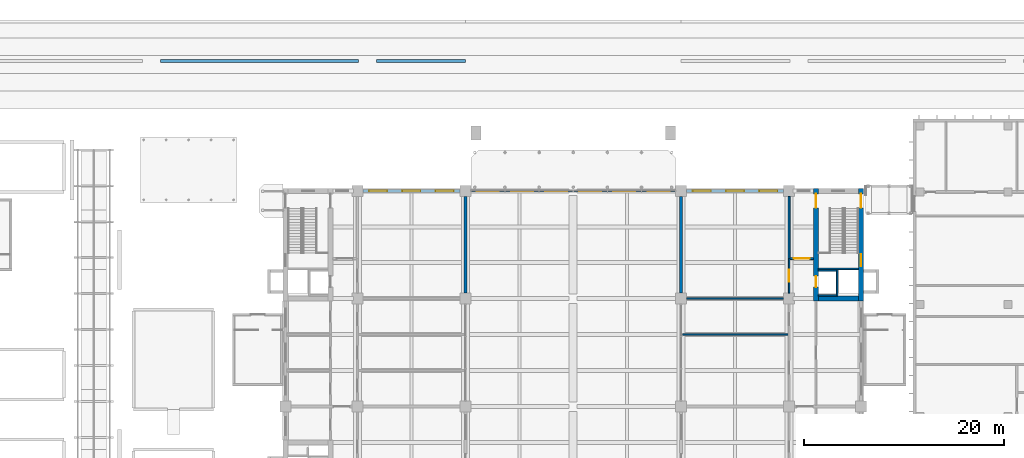
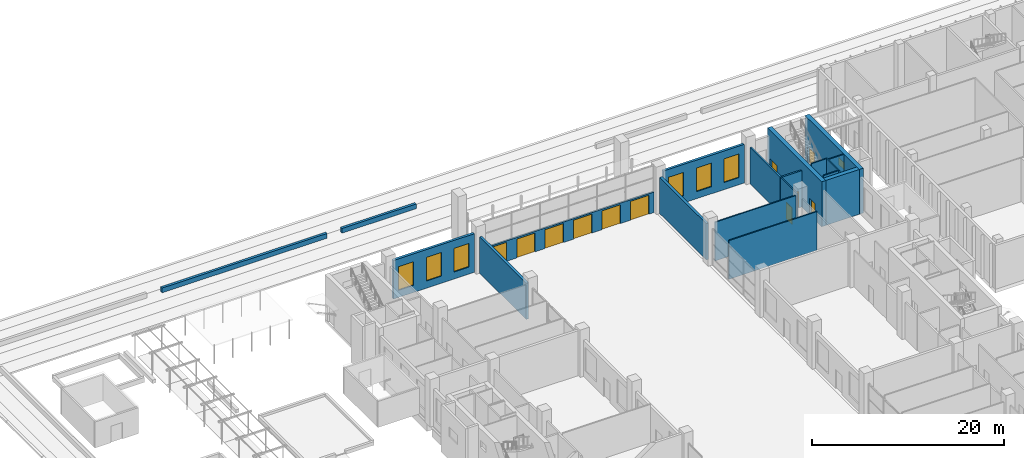
# One storey, part 56 of 71: 19 walls, 11 doors, 7 windows, 18 openings.
"""IFC4 building model written with IfcOpenShell, lengths in metres."""

from ifc_helpers import new_model, si_unit, direction, frame, frame_2d, origin, place, context, subcontext, project, spatial, rectangle, extrude, material, layer, layer_set, type_object, element, fill, save


model = new_model("IFC4")

# Units and contexts
model_context = context("Model", 3, precision=1e-05, world=origin(), true_north=direction((0.0, 1.0)))
body_context = subcontext(model_context, "Body", "Model", "MODEL_VIEW")
ifc_project = project(units=[si_unit("LENGTHUNIT", "METRE"), si_unit("AREAUNIT", "SQUARE_METRE"), si_unit("VOLUMEUNIT", "CUBIC_METRE"), si_unit("PLANEANGLEUNIT", "RADIAN"), si_unit("MASSUNIT", "GRAM", prefix="KILO")], contexts=[model_context])

# Site, building, storey
site_placement = place(None, origin())
site = spatial("IfcSite", under=ifc_project, at=site_placement, CompositionType="ELEMENT")
building_placement = place(site_placement, origin())
building = spatial("IfcBuilding", under=site, at=building_placement, Name="Basin Gate Institute", CompositionType="ELEMENT")
storey_placement = place(building_placement, origin())
storey = spatial("IfcBuildingStorey", under=building, at=storey_placement, Name="L00", CompositionType="ELEMENT", Elevation=0.0)

# Walls
ifc_material_1 = material(Name="Fire-resisting board wall assembly")
ifc_layer_1 = layer(ifc_material_1, 0.300048828125)
ifc_layer_set_1 = layer_set([ifc_layer_1], Name="Atrium enclosure wall EW4")
wall_type_1 = type_object("IfcWallType", Name="Atrium enclosure wall EW4", PredefinedType="STANDARD", material=ifc_layer_set_1)
for number, where, z_axis, x_axis, name in (
    (1, (79.199951171875, 89.64990234375, 0.0), (0.0, 0.0, 1.0), (0.0, 1.0, 0.0), "Atrium enclosure wall W wing bay 6 L00"),
    (2, (100.800048828125, 89.64990234375, 0.0), (0.0, 0.0, 1.0), (0.0, 1.0, 0.0), "Atrium enclosure wall E wing bay 6 L00"),
):
    element("IfcWall", number, at=place(storey_placement, frame(where, z_axis=z_axis, x_axis=x_axis)), inside=storey, type_object=wall_type_1, material=ifc_layer_set_1, Name=name, PredefinedType="STANDARD", context=body_context, shape_type="SweptSolid", body=[
        extrude(rectangle(XDim=9.7001953125, YDim=0.300048828125, at=frame_2d((4.85009765625, 0.0))), origin(), (0.0, 0.0, 1.0), 4.60009765625),
    ])

# Wall, openings, doors
ifc_material_2 = material(Name="Concrete 40 MPa", Category="concrete")
ifc_layer_2 = layer(ifc_material_2, 0.199951171875)
ifc_layer_set_2 = layer_set([ifc_layer_2], Name="Concrete 40 MPa")
wall_type_2 = type_object("IfcWallType", Name="Atrium screen base wall W83 REI 180", PredefinedType="SOLIDWALL", material=ifc_layer_set_2)
wall_1_placement = place(storey_placement, frame((79.75, 99.89990234375, 0.0), z_axis=(0.0, 0.0, 1.0), x_axis=(1.0, 0.0, 0.0)))
wall_1 = element("IfcWall", 3, at=wall_1_placement, inside=storey, type_object=wall_type_2, material=ifc_layer_set_2, Name="Atrium screen base wall R180 N", PredefinedType="SOLIDWALL", context=body_context, shape_type="SweptSolid", body=[
    extrude(rectangle(XDim=20.5, YDim=0.199951171875, at=frame_2d((10.25, 0.0))), origin(), (0.0, 0.0, 1.0), 2.60009765625),
])
opening_1_placement = place(wall_1_placement, frame((0.6083984375, 0.0, 0.0)))
opening_1 = element("IfcOpeningElement", 4, at=opening_1_placement, cuts=wall_1, Name="Opening D811", PredefinedType="OPENING", context=body_context, shape_type="SweptSolid", body=[
    extrude(rectangle(XDim=2.199951171875, YDim=2.39990234375, at=frame_2d((1.10009765625, 1.199951171875))), frame((0.0, 0.10986328125, 0.0), z_axis=(0.0, -1.0, 0.0), x_axis=(1.0, 0.0, 0.0)), (0.0, 0.0, 1.0), 0.219970703125),
])
opening_2_placement = place(wall_1_placement, frame((4.02490234375, 0.0, 0.0)))
opening_2 = element("IfcOpeningElement", 5, at=opening_2_placement, cuts=wall_1, Name="Opening D812", PredefinedType="OPENING", context=body_context, shape_type="SweptSolid", body=[
    extrude(rectangle(XDim=2.199951171875, YDim=2.39990234375, at=frame_2d((1.10009765625, 1.199951171875))), frame((0.0, 0.10986328125, 0.0), z_axis=(0.0, -1.0, 0.0), x_axis=(1.0, 0.0, 0.0)), (0.0, 0.0, 1.0), 0.219970703125),
])
opening_3_placement = place(wall_1_placement, frame((7.441650390625, 0.0, 0.0)))
opening_3 = element("IfcOpeningElement", 6, at=opening_3_placement, cuts=wall_1, Name="Opening D813", PredefinedType="OPENING", context=body_context, shape_type="SweptSolid", body=[
    extrude(rectangle(XDim=2.199951171875, YDim=2.39990234375, at=frame_2d((1.10009765625, 1.199951171875))), frame((0.0, 0.10986328125, 0.0), z_axis=(0.0, -1.0, 0.0), x_axis=(1.0, 0.0, 0.0)), (0.0, 0.0, 1.0), 0.219970703125),
])
opening_4_placement = place(wall_1_placement, frame((10.8583984375, 0.0, 0.0)))
opening_4 = element("IfcOpeningElement", 7, at=opening_4_placement, cuts=wall_1, Name="Opening D814", PredefinedType="OPENING", context=body_context, shape_type="SweptSolid", body=[
    extrude(rectangle(XDim=2.199951171875, YDim=2.39990234375, at=frame_2d((1.10009765625, 1.199951171875))), frame((0.0, 0.10986328125, 0.0), z_axis=(0.0, -1.0, 0.0), x_axis=(1.0, 0.0, 0.0)), (0.0, 0.0, 1.0), 0.219970703125),
])
opening_5_placement = place(wall_1_placement, frame((14.27490234375, 0.0, 0.0)))
opening_5 = element("IfcOpeningElement", 8, at=opening_5_placement, cuts=wall_1, Name="Opening D815", PredefinedType="OPENING", context=body_context, shape_type="SweptSolid", body=[
    extrude(rectangle(XDim=2.199951171875, YDim=2.39990234375, at=frame_2d((1.10009765625, 1.199951171875))), frame((0.0, 0.10986328125, 0.0), z_axis=(0.0, -1.0, 0.0), x_axis=(1.0, 0.0, 0.0)), (0.0, 0.0, 1.0), 0.219970703125),
])
opening_6_placement = place(wall_1_placement, frame((17.691650390625, 0.0, 0.0)))
opening_6 = element("IfcOpeningElement", 9, at=opening_6_placement, cuts=wall_1, Name="Opening D816", PredefinedType="OPENING", context=body_context, shape_type="SweptSolid", body=[
    extrude(rectangle(XDim=2.199951171875, YDim=2.39990234375, at=frame_2d((1.10009765625, 1.199951171875))), frame((0.0, 0.10986328125, 0.0), z_axis=(0.0, -1.0, 0.0), x_axis=(1.0, 0.0, 0.0)), (0.0, 0.0, 1.0), 0.219970703125),
])
ifc_material_3 = material(Name="Aluminium frame with toughened glass", Category="aluminium")
door_type_1 = type_object("IfcDoorType", Name="Automatic sliding door 2200", OperationType="SLIDING_TO_LEFT", PredefinedType="DOOR", material=ifc_material_3)
door_1_placement = place(opening_1_placement, origin())
door_1 = element("IfcDoor", 10, at=door_1_placement, inside=storey, type_object=door_type_1, material=ifc_material_3, Name="Final exit Atrium North 1", OperationType="SLIDING_TO_LEFT", OverallHeight=2.39990234375, OverallWidth=2.199951171875, PredefinedType="DOOR", context=body_context, shape_type="SweptSolid", body=[
    extrude(rectangle(XDim=2.199951171875, YDim=2.39990234375, at=frame_2d((1.10009765625, 1.199951171875))), frame((0.0, 0.02490234375, 0.0), z_axis=(0.0, -1.0, 0.0), x_axis=(1.0, 0.0, 0.0)), (0.0, 0.0, 1.0), 0.050048828125),
])
fill(opening_1, door_1)
door_2_placement = place(opening_2_placement, origin())
door_2 = element("IfcDoor", 11, at=door_2_placement, inside=storey, type_object=door_type_1, material=ifc_material_3, Name="Final exit Atrium North 2", OperationType="SLIDING_TO_LEFT", OverallHeight=2.39990234375, OverallWidth=2.199951171875, PredefinedType="DOOR", context=body_context, shape_type="SweptSolid", body=[
    extrude(rectangle(XDim=2.199951171875, YDim=2.39990234375, at=frame_2d((1.10009765625, 1.199951171875))), frame((0.0, 0.02490234375, 0.0), z_axis=(0.0, -1.0, 0.0), x_axis=(1.0, 0.0, 0.0)), (0.0, 0.0, 1.0), 0.050048828125),
])
fill(opening_2, door_2)
door_3_placement = place(opening_3_placement, origin())
door_3 = element("IfcDoor", 12, at=door_3_placement, inside=storey, type_object=door_type_1, material=ifc_material_3, Name="Final exit Atrium North 3", OperationType="SLIDING_TO_LEFT", OverallHeight=2.39990234375, OverallWidth=2.199951171875, PredefinedType="DOOR", context=body_context, shape_type="SweptSolid", body=[
    extrude(rectangle(XDim=2.199951171875, YDim=2.39990234375, at=frame_2d((1.10009765625, 1.199951171875))), frame((0.0, 0.02490234375, 0.0), z_axis=(0.0, -1.0, 0.0), x_axis=(1.0, 0.0, 0.0)), (0.0, 0.0, 1.0), 0.050048828125),
])
fill(opening_3, door_3)
door_4_placement = place(opening_4_placement, origin())
door_4 = element("IfcDoor", 13, at=door_4_placement, inside=storey, type_object=door_type_1, material=ifc_material_3, Name="Final exit Atrium North 4", OperationType="SLIDING_TO_LEFT", OverallHeight=2.39990234375, OverallWidth=2.199951171875, PredefinedType="DOOR", context=body_context, shape_type="SweptSolid", body=[
    extrude(rectangle(XDim=2.199951171875, YDim=2.39990234375, at=frame_2d((1.10009765625, 1.199951171875))), frame((0.0, 0.02490234375, 0.0), z_axis=(0.0, -1.0, 0.0), x_axis=(1.0, 0.0, 0.0)), (0.0, 0.0, 1.0), 0.050048828125),
])
fill(opening_4, door_4)
door_5_placement = place(opening_5_placement, origin())
door_5 = element("IfcDoor", 14, at=door_5_placement, inside=storey, type_object=door_type_1, material=ifc_material_3, Name="Final exit Atrium North 5", OperationType="SLIDING_TO_LEFT", OverallHeight=2.39990234375, OverallWidth=2.199951171875, PredefinedType="DOOR", context=body_context, shape_type="SweptSolid", body=[
    extrude(rectangle(XDim=2.199951171875, YDim=2.39990234375, at=frame_2d((1.10009765625, 1.199951171875))), frame((0.0, 0.02490234375, 0.0), z_axis=(0.0, -1.0, 0.0), x_axis=(1.0, 0.0, 0.0)), (0.0, 0.0, 1.0), 0.050048828125),
])
fill(opening_5, door_5)
door_6_placement = place(opening_6_placement, origin())
door_6 = element("IfcDoor", 15, at=door_6_placement, inside=storey, type_object=door_type_1, material=ifc_material_3, Name="Final exit Atrium North 6", OperationType="SLIDING_TO_LEFT", OverallHeight=2.39990234375, OverallWidth=2.199951171875, PredefinedType="DOOR", context=body_context, shape_type="SweptSolid", body=[
    extrude(rectangle(XDim=2.199951171875, YDim=2.39990234375, at=frame_2d((1.10009765625, 1.199951171875))), frame((0.0, 0.02490234375, 0.0), z_axis=(0.0, -1.0, 0.0), x_axis=(1.0, 0.0, 0.0)), (0.0, 0.0, 1.0), 0.050048828125),
])
fill(opening_6, door_6)

# Walls
ifc_material_4 = material(Name="Concrete 35 MPa", Category="concrete")
ifc_layer_3 = layer(ifc_material_4, 0.300048828125)
ifc_layer_set_3 = layer_set([ifc_layer_3], Name="Concrete 35 MPa")
wall_type_3 = type_object("IfcWallType", Name="Edge planter wall PL2", PredefinedType="SOLIDWALL", material=ifc_layer_set_3)
wall_2_placement = place(storey_placement, frame((48.68994140625, 112.909912109375, 0.0), z_axis=(0.0, 0.0, 1.0), x_axis=(1.0, 0.0, 0.0)))
element("IfcWall", 16, at=wall_2_placement, inside=storey, type_object=wall_type_3, material=ifc_layer_set_3, Name="Edge planter wall N8", PredefinedType="SOLIDWALL", context=body_context, shape_type="SweptSolid", body=[
    extrude(rectangle(XDim=19.800048828125, YDim=0.300048828125, at=frame_2d((9.89990234375, 0.0))), origin(), (0.0, 0.0, 1.0), 0.60009765625),
])
wall_3_placement = place(storey_placement, frame((70.2900390625, 112.909912109375, 0.0), z_axis=(0.0, 0.0, 1.0), x_axis=(1.0, 0.0, 0.0)))
element("IfcWall", 17, at=wall_3_placement, inside=storey, type_object=wall_type_3, material=ifc_layer_set_3, Name="Edge planter wall N9", PredefinedType="SOLIDWALL", context=body_context, shape_type="SweptSolid", body=[
    extrude(rectangle(XDim=8.909912109375, YDim=0.300048828125, at=frame_2d((4.455078125, 0.0))), origin(), (0.0, 0.0, 1.0), 0.60009765625),
])

# Wall, opening, door
ifc_material_5 = material(Name="Fire-rated masonry", Category="masonry")
ifc_layer_4 = layer(ifc_material_5, 0.199951171875)
ifc_layer_set_4 = layer_set([ifc_layer_4], Name="Enclosure wall PW2 200 EI 60")
wall_type_4 = type_object("IfcWallType", Name="Enclosure wall PW2 200 EI 60", PredefinedType="PARTITIONING", material=ifc_layer_set_4)
wall_4_placement = place(storey_placement, frame((114.050048828125, 93.10009765625, 0.0), z_axis=(0.0, 0.0, 1.0), x_axis=(-1.0, 0.0, 0.0)))
wall_4 = element("IfcWall", 18, at=wall_4_placement, inside=storey, type_object=wall_type_4, material=ifc_layer_set_4, Name="Smoke lobby enclosure wall PW2 L00", PredefinedType="PARTITIONING", context=body_context, shape_type="SweptSolid", body=[
    extrude(rectangle(XDim=2.35009765625, YDim=0.199951171875, at=frame_2d((1.175048828125, 0.0))), origin(), (0.0, 0.0, 1.0), 4.60009765625),
])
opening_7_placement = place(wall_4_placement, frame((0.375, 0.0, 0.0)))
opening_7 = element("IfcOpeningElement", 19, at=opening_7_placement, cuts=wall_4, Name="Opening DR019", PredefinedType="OPENING", context=body_context, shape_type="SweptSolid", body=[
    extrude(rectangle(XDim=1.60009765625, YDim=2.10009765625, at=frame_2d((0.800048828125, 1.050048828125))), frame((0.0, 0.10986328125, 0.0), z_axis=(0.0, -1.0, 0.0), x_axis=(1.0, 0.0, 0.0)), (0.0, 0.0, 1.0), 0.219970703125),
])
ifc_material_6 = material(Name="Steel fire door", Category="steel")
door_type_2 = type_object("IfcDoorType", Name="FD60 Smoke lobby door pair D8", OperationType="DOUBLE_DOOR_SINGLE_SWING", PredefinedType="DOOR", material=ifc_material_6)
door_7_placement = place(opening_7_placement, frame((1.60009765625, 0.0, 0.0), z_axis=(0.0, 0.0, 1.0), x_axis=(-1.0, 0.0, 0.0)))
door_7 = element("IfcDoor", 20, at=door_7_placement, inside=storey, type_object=door_type_2, material=ifc_material_6, Name="Smoke lobby door SS6 L00", OperationType="DOUBLE_DOOR_SINGLE_SWING", OverallHeight=2.10009765625, OverallWidth=1.60009765625, PredefinedType="DOOR", context=body_context, shape_type="SweptSolid", body=[
    extrude(rectangle(XDim=1.60009765625, YDim=2.10009765625, at=frame_2d((0.800048828125, 1.050048828125))), frame((0.0, 0.02490234375, 0.0), z_axis=(0.0, -1.0, 0.0), x_axis=(1.0, 0.0, 0.0)), (0.0, 0.0, 1.0), 0.050048828125),
])
fill(opening_7, door_7)

# Wall
wall_5_placement = place(storey_placement, frame((111.60009765625, 93.10009765625, 0.0), z_axis=(0.0, 0.0, 1.0), x_axis=(0.0, 1.0, 0.0)))
element("IfcWall", 21, at=wall_5_placement, inside=storey, type_object=wall_type_4, material=ifc_layer_set_4, Name="Smoke lobby enclosure wall PW2 L00", PredefinedType="PARTITIONING", context=body_context, shape_type="SweptSolid", body=[
    extrude(rectangle(XDim=6.25, YDim=0.199951171875, at=frame_2d((3.125, 0.0))), origin(), (0.0, 0.0, 1.0), 4.60009765625),
])

# Wall, openings, windows
ifc_material_7 = material(Name="Aluminium-faced insulated panel wall", Category="aluminium")
ifc_layer_5 = layer(ifc_material_7, 0.300048828125)
ifc_layer_set_5 = layer_set([ifc_layer_5], Name="External wall EW1 EI 120")
wall_type_5 = type_object("IfcWallType", Name="External wall EW1 EI 120", PredefinedType="STANDARD", material=ifc_layer_set_5)
wall_6_placement = place(storey_placement, frame((68.949951171875, 99.89990234375, 0.0), z_axis=(0.0, 0.0, 1.0), x_axis=(1.0, 0.0, 0.0)))
wall_6 = element("IfcWall", 22, at=wall_6_placement, inside=storey, type_object=wall_type_5, material=ifc_layer_set_5, Name="External end wall W wing north L00 2", PredefinedType="STANDARD", context=body_context, shape_type="SweptSolid", body=[
    extrude(rectangle(XDim=9.699951171875, YDim=0.300048828125, at=frame_2d((4.85009765625, 0.0))), origin(), (0.0, 0.0, 1.0), 4.89990234375),
])
opening_8_placement = place(wall_6_placement, frame((0.625, 0.0, 0.89990234375)))
opening_8 = element("IfcOpeningElement", 23, at=opening_8_placement, cuts=wall_6, Name="Opening WN2", PredefinedType="OPENING", context=body_context, shape_type="SweptSolid", body=[
    extrude(rectangle(XDim=1.800048828125, YDim=3.0, at=frame_2d((0.89990234375, 1.5))), frame((0.0, 0.16015625, 0.0), z_axis=(0.0, -1.0, 0.0), x_axis=(1.0, 0.0, 0.0)), (0.0, 0.0, 1.0), 0.320068359375),
])
opening_9_placement = place(wall_6_placement, frame((3.949951171875, 0.0, 0.89990234375)))
opening_9 = element("IfcOpeningElement", 24, at=opening_9_placement, cuts=wall_6, Name="Opening WN2", PredefinedType="OPENING", context=body_context, shape_type="SweptSolid", body=[
    extrude(rectangle(XDim=1.800048828125, YDim=3.0, at=frame_2d((0.89990234375, 1.5))), frame((0.0, 0.16015625, 0.0), z_axis=(0.0, -1.0, 0.0), x_axis=(1.0, 0.0, 0.0)), (0.0, 0.0, 1.0), 0.320068359375),
])
opening_10_placement = place(wall_6_placement, frame((7.27490234375, 0.0, 0.89990234375)))
opening_10 = element("IfcOpeningElement", 25, at=opening_10_placement, cuts=wall_6, Name="Opening WN2", PredefinedType="OPENING", context=body_context, shape_type="SweptSolid", body=[
    extrude(rectangle(XDim=1.800048828125, YDim=3.0, at=frame_2d((0.89990234375, 1.5))), frame((0.0, 0.16015625, 0.0), z_axis=(0.0, -1.0, 0.0), x_axis=(1.0, 0.0, 0.0)), (0.0, 0.0, 1.0), 0.320068359375),
])
ifc_material_8 = material(Name="Aluminium-framed double glazing", Category="aluminium")
window_type_1 = type_object("IfcWindowType", Name="Podium window WN2", PartitioningType="SINGLE_PANEL", PredefinedType="WINDOW", material=ifc_material_8)
window_1_placement = place(opening_8_placement, origin())
window_1 = element("IfcWindow", 26, at=window_1_placement, inside=storey, type_object=window_type_1, material=ifc_material_8, Name="Podium window W wing end N L00 bay 1", OverallHeight=3.0, OverallWidth=1.800048828125, PartitioningType="SINGLE_PANEL", PredefinedType="WINDOW", context=body_context, shape_type="SweptSolid", body=[
    extrude(rectangle(XDim=1.800048828125, YDim=3.0, at=frame_2d((0.89990234375, 1.5))), frame((0.0, 0.030029296875, 0.0), z_axis=(0.0, -1.0, 0.0), x_axis=(1.0, 0.0, 0.0)), (0.0, 0.0, 1.0), 0.06005859375),
])
fill(opening_8, window_1)
window_2_placement = place(opening_9_placement, origin())
window_2 = element("IfcWindow", 27, at=window_2_placement, inside=storey, type_object=window_type_1, material=ifc_material_8, Name="Podium window W wing end N L00 bay 2", OverallHeight=3.0, OverallWidth=1.800048828125, PartitioningType="SINGLE_PANEL", PredefinedType="WINDOW", context=body_context, shape_type="SweptSolid", body=[
    extrude(rectangle(XDim=1.800048828125, YDim=3.0, at=frame_2d((0.89990234375, 1.5))), frame((0.0, 0.030029296875, 0.0), z_axis=(0.0, -1.0, 0.0), x_axis=(1.0, 0.0, 0.0)), (0.0, 0.0, 1.0), 0.06005859375),
])
fill(opening_9, window_2)
window_3_placement = place(opening_10_placement, origin())
window_3 = element("IfcWindow", 28, at=window_3_placement, inside=storey, type_object=window_type_1, material=ifc_material_8, Name="Podium window W wing end N L00 bay 3", OverallHeight=3.0, OverallWidth=1.800048828125, PartitioningType="SINGLE_PANEL", PredefinedType="WINDOW", context=body_context, shape_type="SweptSolid", body=[
    extrude(rectangle(XDim=1.800048828125, YDim=3.0, at=frame_2d((0.89990234375, 1.5))), frame((0.0, 0.030029296875, 0.0), z_axis=(0.0, -1.0, 0.0), x_axis=(1.0, 0.0, 0.0)), (0.0, 0.0, 1.0), 0.06005859375),
])
fill(opening_10, window_3)

wall_7_placement = place(storey_placement, frame((111.050048828125, 99.89990234375, 0.0), z_axis=(0.0, 0.0, 1.0), x_axis=(-1.0, 0.0, 0.0)))
wall_7 = element("IfcWall", 29, at=wall_7_placement, inside=storey, type_object=wall_type_5, material=ifc_layer_set_5, Name="External end wall E wing north L00 2", PredefinedType="STANDARD", context=body_context, shape_type="SweptSolid", body=[
    extrude(rectangle(XDim=9.699951171875, YDim=0.300048828125, at=frame_2d((4.85009765625, 0.0))), origin(), (0.0, 0.0, 1.0), 4.89990234375),
])
opening_11_placement = place(wall_7_placement, frame((0.625, 0.0, 0.89990234375)))
opening_11 = element("IfcOpeningElement", 30, at=opening_11_placement, cuts=wall_7, Name="Opening WN2", PredefinedType="OPENING", context=body_context, shape_type="SweptSolid", body=[
    extrude(rectangle(XDim=1.800048828125, YDim=3.0, at=frame_2d((0.89990234375, 1.5))), frame((0.0, 0.16015625, 0.0), z_axis=(0.0, -1.0, 0.0), x_axis=(1.0, 0.0, 0.0)), (0.0, 0.0, 1.0), 0.320068359375),
])
opening_12_placement = place(wall_7_placement, frame((3.949951171875, 0.0, 0.89990234375)))
opening_12 = element("IfcOpeningElement", 31, at=opening_12_placement, cuts=wall_7, Name="Opening WN2", PredefinedType="OPENING", context=body_context, shape_type="SweptSolid", body=[
    extrude(rectangle(XDim=1.800048828125, YDim=3.0, at=frame_2d((0.89990234375, 1.5))), frame((0.0, 0.16015625, 0.0), z_axis=(0.0, -1.0, 0.0), x_axis=(1.0, 0.0, 0.0)), (0.0, 0.0, 1.0), 0.320068359375),
])
opening_13_placement = place(wall_7_placement, frame((7.27490234375, 0.0, 0.89990234375)))
opening_13 = element("IfcOpeningElement", 32, at=opening_13_placement, cuts=wall_7, Name="Opening WN2", PredefinedType="OPENING", context=body_context, shape_type="SweptSolid", body=[
    extrude(rectangle(XDim=1.800048828125, YDim=3.0, at=frame_2d((0.89990234375, 1.5))), frame((0.0, 0.16015625, 0.0), z_axis=(0.0, -1.0, 0.0), x_axis=(1.0, 0.0, 0.0)), (0.0, 0.0, 1.0), 0.320068359375),
])
window_4_placement = place(opening_11_placement, origin())
window_4 = element("IfcWindow", 33, at=window_4_placement, inside=storey, type_object=window_type_1, material=ifc_material_8, Name="Podium window E wing end N L00 bay 1", OverallHeight=3.0, OverallWidth=1.800048828125, PartitioningType="SINGLE_PANEL", PredefinedType="WINDOW", context=body_context, shape_type="SweptSolid", body=[
    extrude(rectangle(XDim=1.800048828125, YDim=3.0, at=frame_2d((0.89990234375, 1.5))), frame((0.0, 0.030029296875, 0.0), z_axis=(0.0, -1.0, 0.0), x_axis=(1.0, 0.0, 0.0)), (0.0, 0.0, 1.0), 0.06005859375),
])
fill(opening_11, window_4)
window_5_placement = place(opening_12_placement, origin())
window_5 = element("IfcWindow", 34, at=window_5_placement, inside=storey, type_object=window_type_1, material=ifc_material_8, Name="Podium window E wing end N L00 bay 2", OverallHeight=3.0, OverallWidth=1.800048828125, PartitioningType="SINGLE_PANEL", PredefinedType="WINDOW", context=body_context, shape_type="SweptSolid", body=[
    extrude(rectangle(XDim=1.800048828125, YDim=3.0, at=frame_2d((0.89990234375, 1.5))), frame((0.0, 0.030029296875, 0.0), z_axis=(0.0, -1.0, 0.0), x_axis=(1.0, 0.0, 0.0)), (0.0, 0.0, 1.0), 0.06005859375),
])
fill(opening_12, window_5)
window_6_placement = place(opening_13_placement, origin())
window_6 = element("IfcWindow", 35, at=window_6_placement, inside=storey, type_object=window_type_1, material=ifc_material_8, Name="Podium window E wing end N L00 bay 3", OverallHeight=3.0, OverallWidth=1.800048828125, PartitioningType="SINGLE_PANEL", PredefinedType="WINDOW", context=body_context, shape_type="SweptSolid", body=[
    extrude(rectangle(XDim=1.800048828125, YDim=3.0, at=frame_2d((0.89990234375, 1.5))), frame((0.0, 0.030029296875, 0.0), z_axis=(0.0, -1.0, 0.0), x_axis=(1.0, 0.0, 0.0)), (0.0, 0.0, 1.0), 0.06005859375),
])
fill(opening_13, window_6)

# Wall, opening, door
ifc_material_9 = material(Name="Gypsum board on steel stud", Category="steel")
ifc_layer_6 = layer(ifc_material_9, 0.14990234375)
ifc_layer_set_6 = layer_set([ifc_layer_6], Name="Gypsum board on steel stud")
wall_type_6 = type_object("IfcWallType", Name="Partition PW1 150 EI 60", PredefinedType="PARTITIONING", material=ifc_layer_set_6)
wall_8_placement = place(storey_placement, frame((111.60009765625, 89.64990234375, 0.0), z_axis=(0.0, 0.0, 1.0), x_axis=(0.0, 1.0, 0.0)))
wall_8 = element("IfcWall", 36, at=wall_8_placement, inside=storey, type_object=wall_type_6, material=ifc_layer_set_6, Name="Laboratory corridor wall PW1 L00", PredefinedType="PARTITIONING", context=body_context, shape_type="SweptSolid", body=[
    extrude(rectangle(XDim=3.4501953125, YDim=0.14990234375, at=frame_2d((1.72509765625, 0.0))), origin(), (0.0, 0.0, 1.0), 4.60009765625),
])
opening_14_placement = place(wall_8_placement, frame((1.125, 0.0, 0.0)))
opening_14 = element("IfcOpeningElement", 37, at=opening_14_placement, cuts=wall_8, Name="Opening DR008", PredefinedType="OPENING", context=body_context, shape_type="SweptSolid", body=[
    extrude(rectangle(XDim=1.199951171875, YDim=2.10009765625, at=frame_2d((0.60009765625, 1.050048828125))), frame((0.0, 0.0849609375, 0.0), z_axis=(0.0, -1.0, 0.0), x_axis=(1.0, 0.0, 0.0)), (0.0, 0.0, 1.0), 0.169921875),
])
ifc_material_10 = material(Name="Timber fire door", Category="wood")
door_type_3 = type_object("IfcDoorType", Name="FD30 Laboratory door D2", OperationType="DOUBLE_DOOR_SINGLE_SWING", PredefinedType="DOOR", material=ifc_material_10)
door_8_placement = place(opening_14_placement, origin())
door_8 = element("IfcDoor", 38, at=door_8_placement, inside=storey, type_object=door_type_3, material=ifc_material_10, Name="Door to Instrument Room 0072 L00", OperationType="DOUBLE_DOOR_SINGLE_SWING", OverallHeight=2.10009765625, OverallWidth=1.199951171875, PredefinedType="DOOR", context=body_context, shape_type="SweptSolid", body=[
    extrude(rectangle(XDim=1.199951171875, YDim=2.10009765625, at=frame_2d((0.60009765625, 1.050048828125))), frame((0.0, 0.02490234375, 0.0), z_axis=(0.0, -1.0, 0.0), x_axis=(1.0, 0.0, 0.0)), (0.0, 0.0, 1.0), 0.050048828125),
])
fill(opening_14, door_8)

# Walls
wall_9_placement = place(storey_placement, frame((111.52490234375, 85.5, 0.0), z_axis=(0.0, 0.0, 1.0), x_axis=(-1.0, 0.0, 0.0)))
element("IfcWall", 39, at=wall_9_placement, inside=storey, type_object=wall_type_6, material=ifc_layer_set_6, Name="Laboratory partition PW1 L00", PredefinedType="PARTITIONING", context=body_context, shape_type="SweptSolid", body=[
    extrude(rectangle(XDim=10.574951171875, YDim=0.14990234375, at=frame_2d((5.28759765625, 0.0))), origin(), (0.0, 0.0, 1.0), 4.89990234375),
])
wall_10_placement = place(storey_placement, frame((111.050048828125, 89.10009765625, 0.0), z_axis=(0.0, 0.0, 1.0), x_axis=(-1.0, 0.0, 0.0)))
element("IfcWall", 40, at=wall_10_placement, inside=storey, type_object=wall_type_6, material=ifc_layer_set_6, Name="Laboratory partition PW1 L00", PredefinedType="PARTITIONING", context=body_context, shape_type="SweptSolid", body=[
    extrude(rectangle(XDim=9.699951171875, YDim=0.14990234375, at=frame_2d((4.85009765625, 0.0))), origin(), (0.0, 0.0, 1.0), 4.89990234375),
])
ifc_material_11 = material(Name="Concrete 40 MPa", Category="concrete")
ifc_layer_7 = layer(ifc_material_11, 0.14990234375)
ifc_layer_set_7 = layer_set([ifc_layer_7], Name="Concrete 40 MPa")
wall_type_7 = type_object("IfcWallType", Name="Wall LS1 lift shaft enclosure R180", PredefinedType="SOLIDWALL", material=ifc_layer_set_7)
wall_11_placement = place(storey_placement, frame((116.425048828125, 92.0, 0.0), z_axis=(0.0, 0.0, 1.0), x_axis=(0.0, -1.0, 0.0)))
element("IfcWall", 41, at=wall_11_placement, inside=storey, type_object=wall_type_7, material=ifc_layer_set_7, Name="Lift shaft enclosure LP6 L00 UL", PredefinedType="SOLIDWALL", context=body_context, shape_type="SweptSolid", body=[
    extrude(rectangle(XDim=2.64990234375, YDim=0.14990234375, at=frame_2d((1.324951171875, 0.0))), origin(), (0.0, 0.0, 1.0), 6.0),
])
for number, where, z_axis, x_axis, name in (
    (42, (116.35009765625, 91.925048828125, 0.0), (0.0, 0.0, 1.0), (-1.0, 0.0, 0.0), "Lift shaft enclosure LP6 L00 RL"),
    (43, (116.35009765625, 89.425048828125, 0.0), (0.0, 0.0, 1.0), (-1.0, 0.0, 0.0), "Lift shaft enclosure LP6 L00 RH"),
):
    element("IfcWall", number, at=place(storey_placement, frame(where, z_axis=z_axis, x_axis=x_axis)), inside=storey, type_object=wall_type_7, material=ifc_layer_set_7, Name=name, PredefinedType="SOLIDWALL", context=body_context, shape_type="SweptSolid", body=[
        extrude(rectangle(XDim=1.800048828125, YDim=0.14990234375, at=frame_2d((0.89990234375, 0.0))), origin(), (0.0, 0.0, 1.0), 6.0),
    ])
ifc_material_12 = material(Name="Concrete 40 MPa", Category="concrete")
ifc_layer_8 = layer(ifc_material_12, 0.14990234375)
ifc_layer_set_8 = layer_set([ifc_layer_8], Name="Concrete 40 MPa")
wall_type_8 = type_object("IfcWallType", Name="Wall SE1 stair enclosure R180", PredefinedType="SOLIDWALL", material=ifc_layer_set_8)
wall_12_placement = place(storey_placement, frame((118.550048828125, 92.074951171875, 0.0), z_axis=(0.0, 0.0, 1.0), x_axis=(-1.0, 0.0, 0.0)))
element("IfcWall", 44, at=wall_12_placement, inside=storey, type_object=wall_type_8, material=ifc_layer_set_8, Name="Stair enclosure wall ST-EN L00", PredefinedType="SOLIDWALL", context=body_context, shape_type="SweptSolid", body=[
    extrude(rectangle(XDim=4.0, YDim=0.14990234375, at=frame_2d((2.0, 0.0))), origin(), (0.0, 0.0, 1.0), 5.699951171875),
])

# Wall, openings, door, window
ifc_material_13 = material(Name="Concrete 60 MPa", Category="concrete")
ifc_layer_9 = layer(ifc_material_13, 0.5)
ifc_layer_set_9 = layer_set([ifc_layer_9], Name="Concrete 60 MPa")
wall_type_9 = type_object("IfcWallType", Name="Wall SW1 R180", PredefinedType="SHEAR", material=ifc_layer_set_9)
wall_13_placement = place(storey_placement, frame((118.800048828125, 88.85009765625, 0.0), z_axis=(0.0, 0.0, 1.0), x_axis=(0.0, 1.0, 0.0)))
wall_13 = element("IfcWall", 45, at=wall_13_placement, inside=storey, type_object=wall_type_9, material=ifc_layer_set_9, Name="WALL/L00/EN/L", PredefinedType="SHEAR", context=body_context, shape_type="SweptSolid", body=[
    extrude(rectangle(XDim=11.2998046875, YDim=0.5, at=frame_2d((5.64990234375, 0.0))), origin(), (0.0, 0.0, 1.0), 5.699951171875),
])
opening_15_placement = place(wall_13_placement, frame((9.35009765625, 0.0, 0.0)))
opening_15 = element("IfcOpeningElement", 46, at=opening_15_placement, cuts=wall_13, Name="Opening DX06", PredefinedType="OPENING", context=body_context, shape_type="SweptSolid", body=[
    extrude(rectangle(XDim=1.39990234375, YDim=2.10009765625, at=frame_2d((0.699951171875, 1.050048828125))), frame((0.0, 0.260009765625, 0.0), z_axis=(0.0, -1.0, 0.0), x_axis=(1.0, 0.0, 0.0)), (0.0, 0.0, 1.0), 0.52001953125),
])
opening_16_placement = place(wall_13_placement, frame((3.52001953125, 0.0, 3.39990234375)))
opening_16 = element("IfcOpeningElement", 47, at=opening_16_placement, cuts=wall_13, Name="Opening WT1", PredefinedType="OPENING", context=body_context, shape_type="SweptSolid", body=[
    extrude(rectangle(XDim=1.199951171875, YDim=0.89990234375, at=frame_2d((0.60009765625, 0.449951171875))), frame((0.0, 0.260009765625, 0.0), z_axis=(0.0, -1.0, 0.0), x_axis=(1.0, 0.0, 0.0)), (0.0, 0.0, 1.0), 0.52001953125),
])
ifc_material_14 = material(Name="Steel fire door", Category="steel")
door_type_4 = type_object("IfcDoorType", Name="FD60 Final exit door DX", OperationType="DOUBLE_DOOR_SINGLE_SWING", PredefinedType="DOOR", material=ifc_material_14)
door_9_placement = place(opening_15_placement, frame((1.39990234375, 0.0, 0.0), z_axis=(0.0, 0.0, 1.0), x_axis=(-1.0, 0.0, 0.0)))
door_9 = element("IfcDoor", 48, at=door_9_placement, inside=storey, type_object=door_type_4, material=ifc_material_14, Name="Final exit ST-EN to the plaza", OperationType="DOUBLE_DOOR_SINGLE_SWING", OverallHeight=2.10009765625, OverallWidth=1.39990234375, PredefinedType="DOOR", context=body_context, shape_type="SweptSolid", body=[
    extrude(rectangle(XDim=1.39990234375, YDim=2.10009765625, at=frame_2d((0.699951171875, 1.050048828125))), frame((0.0, 0.02490234375, 0.0), z_axis=(0.0, -1.0, 0.0), x_axis=(1.0, 0.0, 0.0)), (0.0, 0.0, 1.0), 0.050048828125),
])
fill(opening_15, door_9)
ifc_material_15 = material(Name="Fire-resistant glazing in steel-free frame", Category="steel")
window_type_2 = type_object("IfcWindowType", Name="Rated stair window EI 180 WT1", PartitioningType="SINGLE_PANEL", PredefinedType="WINDOW", material=ifc_material_15)
window_7_placement = place(opening_16_placement, origin())
window_7 = element("IfcWindow", 49, at=window_7_placement, inside=storey, type_object=window_type_2, material=ifc_material_15, Name="Rated stair window EI 180 EN landing L00", OverallHeight=0.89990234375, OverallWidth=1.199951171875, PartitioningType="SINGLE_PANEL", PredefinedType="WINDOW", context=body_context, shape_type="SweptSolid", body=[
    extrude(rectangle(XDim=1.199951171875, YDim=0.89990234375, at=frame_2d((0.60009765625, 0.449951171875))), frame((0.0, 0.030029296875, 0.0), z_axis=(0.0, -1.0, 0.0), x_axis=(1.0, 0.0, 0.0)), (0.0, 0.0, 1.0), 0.06005859375),
])
fill(opening_16, window_7)

# Wall, openings, doors
wall_14_placement = place(storey_placement, frame((114.300048828125, 88.85009765625, 0.0), z_axis=(0.0, 0.0, 1.0), x_axis=(0.0, 1.0, 0.0)))
wall_14 = element("IfcWall", 50, at=wall_14_placement, inside=storey, type_object=wall_type_9, material=ifc_layer_set_9, Name="WALL/L00/EN/C", PredefinedType="SHEAR", context=body_context, shape_type="SweptSolid", body=[
    extrude(rectangle(XDim=11.2998046875, YDim=0.5, at=frame_2d((5.64990234375, 0.0))), origin(), (0.0, 0.0, 1.0), 5.699951171875),
])
opening_17_placement = place(wall_14_placement, frame((9.35009765625, 0.0, 0.0)))
opening_17 = element("IfcOpeningElement", 51, at=opening_17_placement, cuts=wall_14, Name="Opening DS006", PredefinedType="OPENING", context=body_context, shape_type="SweptSolid", body=[
    extrude(rectangle(XDim=1.39990234375, YDim=2.10009765625, at=frame_2d((0.699951171875, 1.050048828125))), frame((0.0, 0.260009765625, 0.0), z_axis=(0.0, -1.0, 0.0), x_axis=(1.0, 0.0, 0.0)), (0.0, 0.0, 1.0), 0.52001953125),
])
opening_18_placement = place(wall_14_placement, frame((1.39990234375, 0.0, 0.0)))
opening_18 = element("IfcOpeningElement", 52, at=opening_18_placement, cuts=wall_14, Name="Opening LD106", PredefinedType="OPENING", context=body_context, shape_type="SweptSolid", body=[
    extrude(rectangle(XDim=1.10009765625, YDim=2.10009765625, at=frame_2d((0.550048828125, 1.050048828125))), frame((0.0, 0.260009765625, 0.0), z_axis=(0.0, -1.0, 0.0), x_axis=(1.0, 0.0, 0.0)), (0.0, 0.0, 1.0), 0.52001953125),
])
ifc_material_16 = material(Name="Steel fire door", Category="steel")
door_type_5 = type_object("IfcDoorType", Name="FD60 Exit-level stair enclosure door DSX", OperationType="DOUBLE_DOOR_SINGLE_SWING", PredefinedType="DOOR", material=ifc_material_16)
door_10_placement = place(opening_17_placement, frame((1.39990234375, 0.0, 0.0), z_axis=(0.0, 0.0, 1.0), x_axis=(-1.0, 0.0, 0.0)))
door_10 = element("IfcDoor", 53, at=door_10_placement, inside=storey, type_object=door_type_5, material=ifc_material_16, Name="Stair enclosure door ST-EN L00", OperationType="DOUBLE_DOOR_SINGLE_SWING", OverallHeight=2.10009765625, OverallWidth=1.39990234375, PredefinedType="DOOR", context=body_context, shape_type="SweptSolid", body=[
    extrude(rectangle(XDim=1.39990234375, YDim=2.10009765625, at=frame_2d((0.699951171875, 1.050048828125))), frame((0.0, 0.02490234375, 0.0), z_axis=(0.0, -1.0, 0.0), x_axis=(1.0, 0.0, 0.0)), (0.0, 0.0, 1.0), 0.050048828125),
])
fill(opening_17, door_10)
ifc_material_17 = material(Name="Stainless steel", Category="steel")
door_type_6 = type_object("IfcDoorType", Name="FD60 Lift landing door LD", OperationType="SLIDING_TO_LEFT", PredefinedType="DOOR", material=ifc_material_17)
door_11_placement = place(opening_18_placement, origin())
door_11 = element("IfcDoor", 54, at=door_11_placement, inside=storey, type_object=door_type_6, material=ifc_material_17, Name="Lift landing door LP6 L00", OperationType="SLIDING_TO_LEFT", OverallHeight=2.10009765625, OverallWidth=1.10009765625, PredefinedType="DOOR", context=body_context, shape_type="SweptSolid", body=[
    extrude(rectangle(XDim=1.10009765625, YDim=2.10009765625, at=frame_2d((0.550048828125, 1.050048828125))), frame((0.0, 0.02490234375, 0.0), z_axis=(0.0, -1.0, 0.0), x_axis=(1.0, 0.0, 0.0)), (0.0, 0.0, 1.0), 0.050048828125),
])
fill(opening_18, door_11)

# Wall
wall_15_placement = place(storey_placement, frame((118.550048828125, 89.10009765625, 0.0), z_axis=(0.0, 0.0, 1.0), x_axis=(-1.0, 0.0, 0.0)))
element("IfcWall", 55, at=wall_15_placement, inside=storey, type_object=wall_type_9, material=ifc_layer_set_9, Name="WALL/L00/EN/S", PredefinedType="SHEAR", context=body_context, shape_type="SweptSolid", body=[
    extrude(rectangle(XDim=4.0, YDim=0.5, at=frame_2d((2.0, 0.0))), origin(), (0.0, 0.0, 1.0), 5.699951171875),
])

save(model, "model.ifc")
